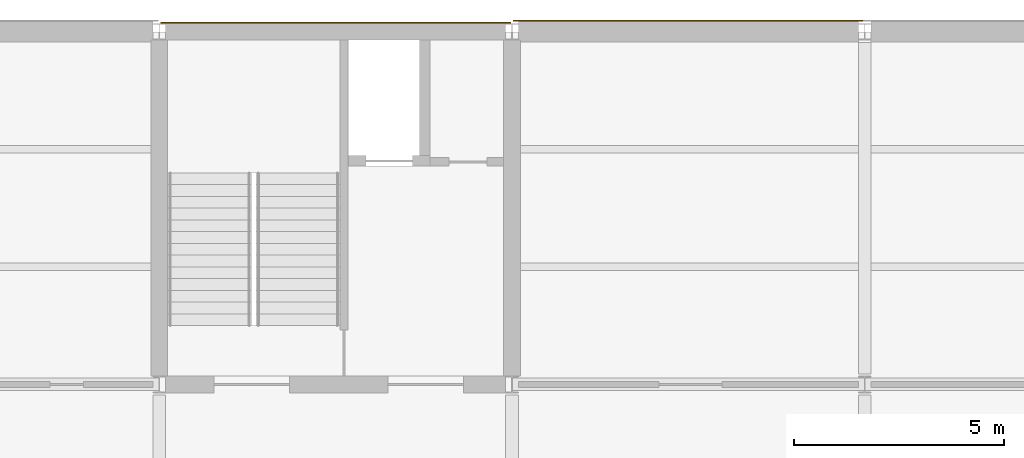
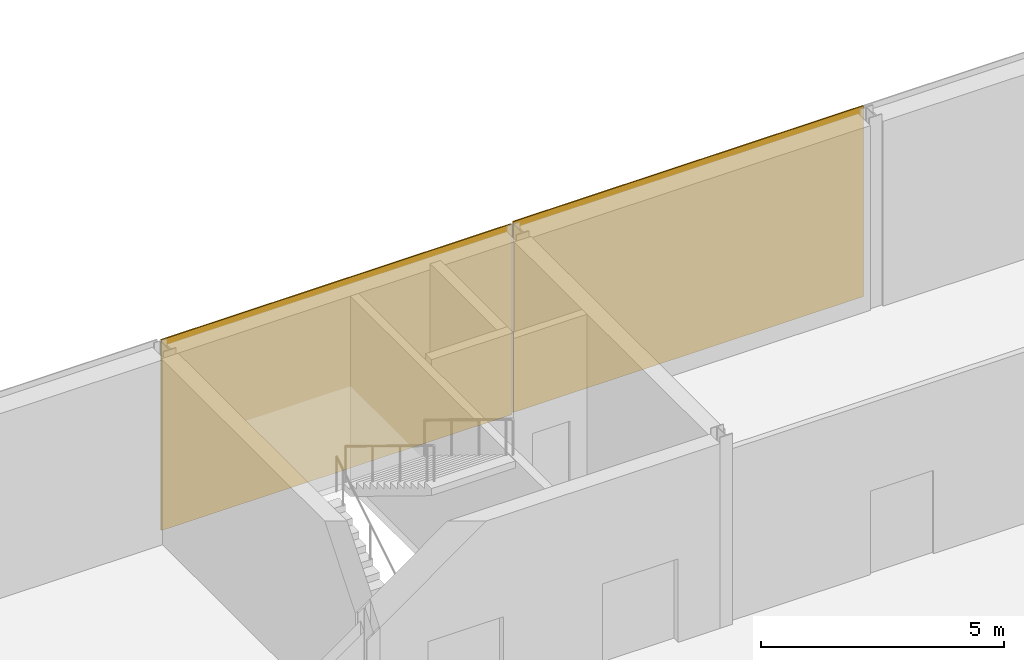
# One storey, part 42 of 52: 2 coverings.
"""IFC4 building model written with IfcOpenShell, lengths in metres."""

import ifcopenshell
import ifcopenshell.guid

model = None  # the IFC model being written
_history = None  # IfcOwnerHistory: only IFC2X3 demands one
_inside = {}  # id of a spatial element -> (the spatial element, [elements in it])
_under = {}  # id of a project, library or spatial element -> (it, [spatial elements below it])
_declared = {}  # id of a project -> (the project, [libraries it declares])
_typed = {}  # id of a type object -> (the type object, [elements of that type])
_made_of = {}  # id of a material, layer set ... -> (it, [elements and type objects made of it])


def new_model(schema):
    """Start an empty IFC model of exactly this schema.

    Asked for "IFC4X3", IfcOpenShell would pick the latest addendum, in which some entities
    have other attributes; the version numbers below select the first issue.
    IFC2X3 requires an IfcOwnerHistory on every rooted entity: one is made here for all.
    """
    global model, _history
    if schema == "IFC4X3":
        model = ifcopenshell.file(schema_version=(4, 3, 0, 0))
    else:
        model = ifcopenshell.file(schema=schema)
    _inside.clear()
    _under.clear()
    _declared.clear()
    _typed.clear()
    _made_of.clear()
    _history = None
    if model.schema == "IFC2X3":
        org = make("IfcOrganization", Name="unknown")
        user = make(
            "IfcPersonAndOrganization",
            ThePerson=make("IfcPerson", FamilyName="unknown"),
            TheOrganization=org,
        )
        app = make(
            "IfcApplication",
            ApplicationDeveloper=org,
            Version="unknown",
            ApplicationFullName="unknown",
            ApplicationIdentifier="unknown",
        )
        _history = make(
            "IfcOwnerHistory",
            OwningUser=user,
            OwningApplication=app,
            ChangeAction="ADDED",
            CreationDate=0,
        )
    return model


def make(cls, **values):
    """One entity of the class cls with the attributes given. An attribute that is None is left unset."""
    return model.create_entity(
        cls, **{name: value for name, value in values.items() if value is not None}
    )


def rooted(cls, **values):
    """An entity with a GlobalId (a new one), such as an element, a storey or a relation."""
    return make(cls, GlobalId=ifcopenshell.guid.new(), OwnerHistory=_history, **values)


def si_unit(unit_type, name, prefix=None):
    """IfcSIUnit, for example si_unit("LENGTHUNIT", "METRE", prefix="MILLI")."""
    return make("IfcSIUnit", UnitType=unit_type, Prefix=prefix, Name=name)


def assignment(units):
    """IfcUnitAssignment: the units of a project."""
    return None if units is None else make("IfcUnitAssignment", Units=units)


def point(xyz):
    """IfcCartesianPoint."""
    return None if xyz is None else make("IfcCartesianPoint", Coordinates=xyz)


def direction(xyz):
    """IfcDirection."""
    return None if xyz is None else make("IfcDirection", DirectionRatios=xyz)


def frame(location, z_axis=None, x_axis=None):
    """IfcAxis2Placement3D, a coordinate frame: its origin and axes. An axis left out is left unset."""
    return make(
        "IfcAxis2Placement3D",
        Location=point(location),
        Axis=direction(z_axis),
        RefDirection=direction(x_axis),
    )


def frame_2d(location, x_axis=None):
    """IfcAxis2Placement2D, a coordinate frame in the plane: its origin and x axis."""
    return make(
        "IfcAxis2Placement2D", Location=point(location), RefDirection=direction(x_axis)
    )


def origin():
    """The frame at (0, 0, 0) with its axes left unset."""
    return frame((0.0, 0.0, 0.0))


def origin_2d():
    """The frame at (0, 0) in the plane with its x axis left unset."""
    return frame_2d((0.0, 0.0))


def place(relative_to, where):
    """IfcLocalPlacement: puts the frame where relative to a parent placement (None: the world)."""
    return make(
        "IfcLocalPlacement", PlacementRelTo=relative_to, RelativePlacement=where
    )


def context(
    kind, dimensions, precision=None, world=None, true_north=None, identifier=None
):
    """IfcGeometricRepresentationContext, for example the 3D "Model" context."""
    return make(
        "IfcGeometricRepresentationContext",
        ContextIdentifier=identifier,
        ContextType=kind,
        CoordinateSpaceDimension=dimensions,
        Precision=precision,
        WorldCoordinateSystem=world,
        TrueNorth=true_north,
    )


def subcontext(parent, identifier, kind, view, scale=None):
    """IfcGeometricRepresentationSubContext, for example "Body" below "Model"."""
    return make(
        "IfcGeometricRepresentationSubContext",
        ContextIdentifier=identifier,
        ContextType=kind,
        ParentContext=parent,
        TargetScale=scale,
        TargetView=view,
    )


def project(units=None, contexts=None):
    """IfcProject with its units and contexts."""
    return rooted(
        "IfcProject",
        Name="project",
        RepresentationContexts=contexts,
        UnitsInContext=assignment(units),
    )


def spatial(cls, under=None, at=None, **own):
    """A site, building, storey or space (cls), placed at a placement, below another one or the project."""
    s = rooted(cls, ObjectPlacement=at, **own)
    if under is not None:
        _under.setdefault(under.id(), (under, []))[1].append(s)
    return s


def profile(cls, at=None, kind="AREA", **sizes):
    """A parametric profile (cls). Its sizes go by their IFC names, for example OverallWidth=200.0."""
    return make(cls, ProfileType=kind, Position=at, **sizes)


def rectangle(**sizes):
    """IfcRectangleProfileDef."""
    return profile("IfcRectangleProfileDef", **sizes)


def extrude(swept, where, along, depth):
    """IfcExtrudedAreaSolid: the profile swept, set in the frame where, extruded along a direction by depth."""
    return make(
        "IfcExtrudedAreaSolid",
        SweptArea=swept,
        Position=where,
        ExtrudedDirection=direction(along),
        Depth=depth,
    )


def shape(context_of_items, identifier, shape_type, items):
    """IfcShapeRepresentation: the items that make up one representation, for example the "Body"."""
    return make(
        "IfcShapeRepresentation",
        ContextOfItems=context_of_items,
        RepresentationIdentifier=identifier,
        RepresentationType=shape_type,
        Items=items,
    )


def material(Name=None, Category=None):
    """IfcMaterial."""
    return make("IfcMaterial", Name=Name, Category=Category)


def layer(
    of_material, thickness, ventilated=None, Name=None, Category=None, Priority=None
):
    """IfcMaterialLayer: one layer of a wall or slab, of a material (None: an air gap)."""
    return make(
        "IfcMaterialLayer",
        Material=of_material,
        LayerThickness=thickness,
        IsVentilated=ventilated,
        Name=Name,
        Category=Category,
        Priority=Priority,
    )


def layer_set(layers, Name=None):
    """IfcMaterialLayerSet."""
    return make("IfcMaterialLayerSet", MaterialLayers=layers, LayerSetName=Name)


def made_of(thing, what):
    """Note that an element or type object is made of a material, layer set ...; save() writes the relation."""
    if what is not None:
        _made_of.setdefault(what.id(), (what, []))[1].append(thing)
    return thing


def type_object(cls, material=None, **own):
    """A type object (cls), such as IfcWallType, which elements share."""
    return made_of(rooted(cls, **own), material)


def element(
    cls,
    number,
    at=None,
    inside=None,
    cuts=None,
    type_object=None,
    material=None,
    context=None,
    identifier="Body",
    shape_type=None,
    held_by="IfcProductDefinitionShape",
    body=None,
    shapes=None,
    **own,
):
    """One element of the class cls, such as IfcWall. Its Tag is "e" and its number.

    at: its placement. inside: the storey or other place that contains it. cuts: it is an
    opening in that element (IfcRelVoidsElement). A single representation is given by context,
    identifier, shape_type and body (its items); several are given by shapes. held_by: the class
    of the entity that holds the representations. save() writes the other relations.
    """
    e = rooted(cls, Tag="e%d" % number, ObjectPlacement=at, **own)
    if body is not None:
        shapes = [shape(context, identifier, shape_type, body)]
    if shapes is not None:
        e.Representation = make(held_by, Representations=shapes)
    if inside is not None:
        _inside.setdefault(inside.id(), (inside, []))[1].append(e)
    if cuts is not None:
        rooted(
            "IfcRelVoidsElement", RelatingBuildingElement=cuts, RelatedOpeningElement=e
        )
    if type_object is not None:
        _typed.setdefault(type_object.id(), (type_object, []))[1].append(e)
    return made_of(e, material)


def aggregate(whole, parts):
    """IfcRelAggregates: a whole, such as a stair, and the parts it consists of."""
    return rooted("IfcRelAggregates", RelatingObject=whole, RelatedObjects=parts)


def save(model, path):
    """Write the relations noted so far, then the file.

    IfcRelAggregates (storeys below a building ...), IfcRelContainedInSpatialStructure (elements
    in a storey), IfcRelDefinesByType, IfcRelAssociatesMaterial and IfcRelDeclares: one each for
    every whole, place, type object, material and project.
    """
    for whole, parts in _under.values():
        aggregate(whole, parts)
    for where, things in _inside.values():
        rooted(
            "IfcRelContainedInSpatialStructure",
            RelatedElements=things,
            RelatingStructure=where,
        )
    for kind, things in _typed.values():
        rooted("IfcRelDefinesByType", RelatedObjects=things, RelatingType=kind)
    for what, things in _made_of.values():
        rooted("IfcRelAssociatesMaterial", RelatedObjects=things, RelatingMaterial=what)
    for by, libraries in _declared.values():
        rooted("IfcRelDeclares", RelatingContext=by, RelatedDefinitions=libraries)
    model.write(path)


model = new_model("IFC4")

# Units and contexts
model_context = context("Model", 3, precision=1e-05, world=origin(), true_north=direction((0.0, 1.0)))
body_context = subcontext(model_context, "Body", "Model", "MODEL_VIEW")
ifc_project = project(units=[si_unit("LENGTHUNIT", "METRE"), si_unit("AREAUNIT", "SQUARE_METRE"), si_unit("VOLUMEUNIT", "CUBIC_METRE"), si_unit("PLANEANGLEUNIT", "RADIAN"), si_unit("MASSUNIT", "GRAM", prefix="KILO")], contexts=[model_context])

# Site, building, storey
site_placement = place(None, origin())
site = spatial("IfcSite", under=ifc_project, at=site_placement, CompositionType="ELEMENT")
building_placement = place(site_placement, origin())
building = spatial("IfcBuilding", under=site, at=building_placement, Name="Galleria Vessillo Department Store", CompositionType="ELEMENT")
storey_placement = place(building_placement, frame((0.0, 0.0, 16.199951171875)))
storey = spatial("IfcBuildingStorey", under=building, at=storey_placement, Name="L03", CompositionType="ELEMENT", Elevation=16.199951171875)

# Coverings
ifc_material = material(Name="Lime plaster (intonaco) ochre")
ifc_layer = layer(ifc_material, 0.030029296875)
ifc_layer_set = layer_set([ifc_layer], Name="Lime plaster (intonaco) ochre")
covering_type = type_object("IfcCoveringType", Name="Lime plaster render 30 mm", PredefinedType="CLADDING", material=ifc_layer_set)
covering_1_placement = place(storey_placement, frame((37.800048828125, 63.215087890625, 0.0), z_axis=(0.0, 0.0, 1.0), x_axis=(1.0, 0.0, 0.0)))
element("IfcCovering", 1, at=covering_1_placement, inside=storey, type_object=covering_type, Name="Wall cladding S-CW-PC-NM-PARTY-L03", PredefinedType="CLADDING", context=body_context, shape_type="SweptSolid", body=[
    extrude(rectangle(XDim=8.33984375, YDim=0.030029296875, at=origin_2d()), origin(), (0.0, 0.0, 1.0), 4.800048828125),
])
covering_2_placement = place(storey_placement, frame((46.199951171875, 63.264892578125, 0.0), z_axis=(0.0, 0.0, 1.0), x_axis=(1.0, 0.0, 0.0)))
element("IfcCovering", 2, at=covering_2_placement, inside=storey, type_object=covering_type, Name="Wall cladding S-PN-L03-04", PredefinedType="CLADDING", context=body_context, shape_type="SweptSolid", body=[
    extrude(rectangle(XDim=8.340087890625, YDim=0.030029296875, at=origin_2d()), origin(), (0.0, 0.0, 1.0), 4.800048828125),
])

save(model, "model.ifc")
